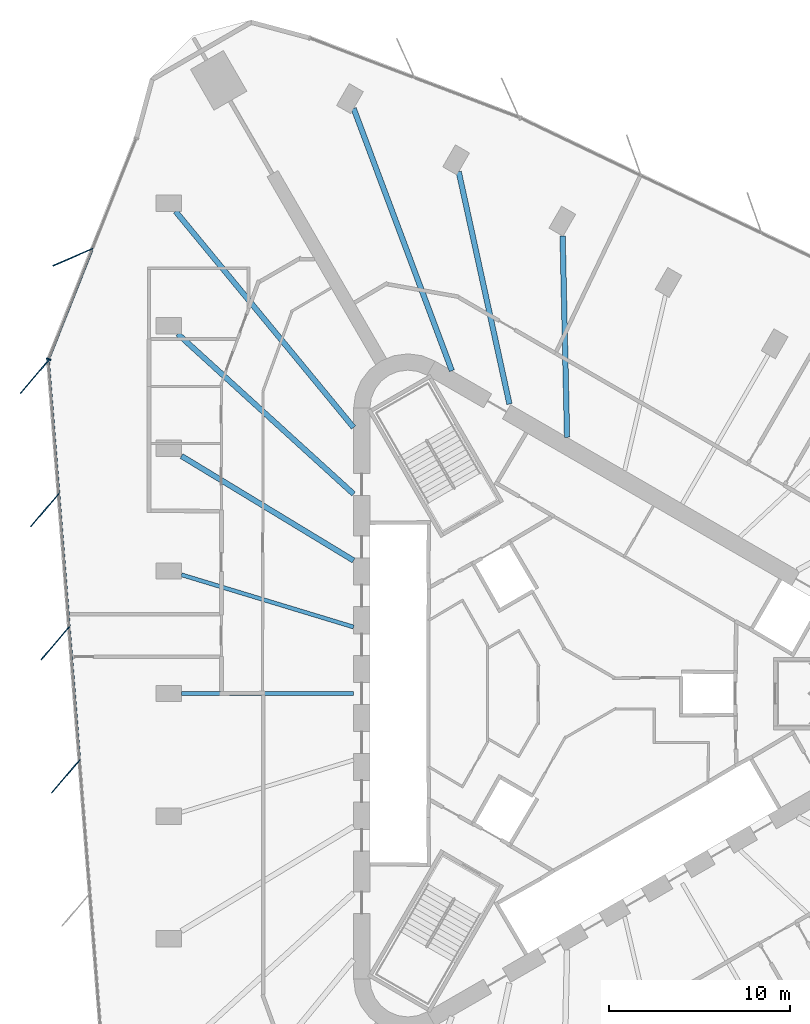
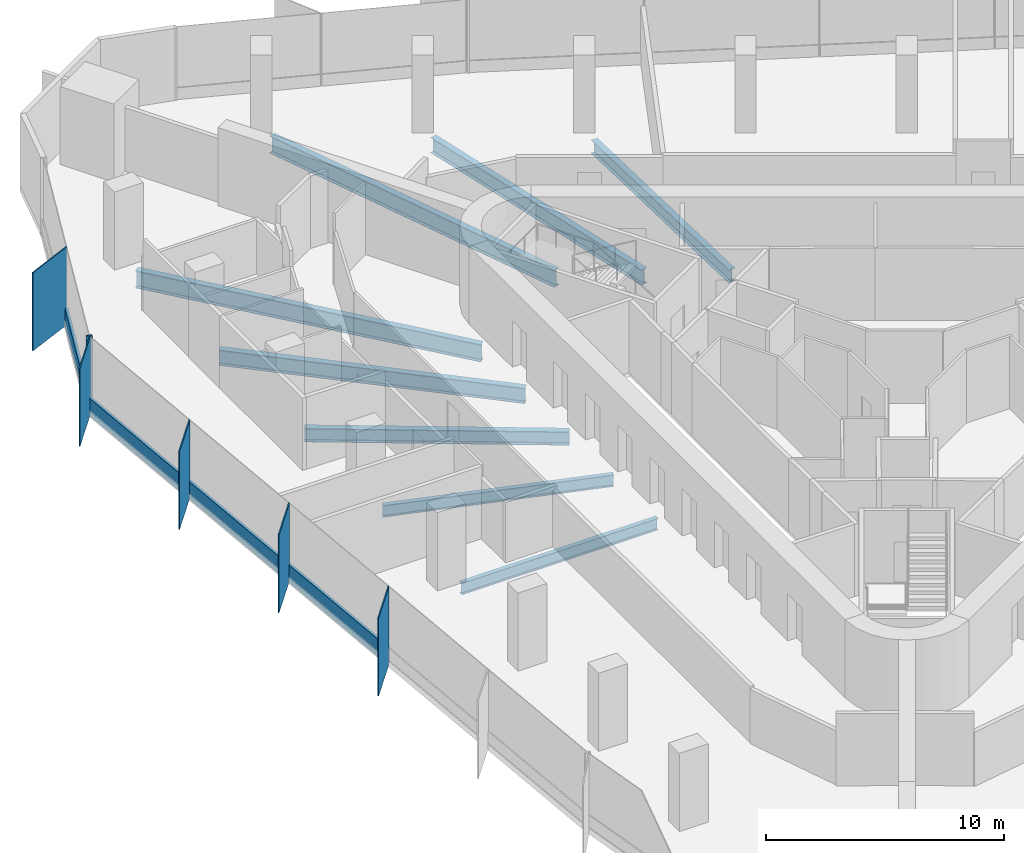
# One storey, part 4 of 13: 10 members, 8 beams, 2 elements without a shape of their own.
"""IFC4 building model written with IfcOpenShell, lengths in metres."""

from ifc_helpers import new_model, si_unit, direction, frame, origin, origin_2d, place, context, subcontext, project, spatial, rectangle, i_section, extrude, material, material_profile, profile_set, type_object, element, aggregate, save


model = new_model("IFC4")

# Units and contexts
model_context = context("Model", 3, precision=1e-05, world=origin(), true_north=direction((0.0, 1.0)))
body_context = subcontext(model_context, "Body", "Model", "MODEL_VIEW")
ifc_project = project(units=[si_unit("LENGTHUNIT", "METRE"), si_unit("AREAUNIT", "SQUARE_METRE"), si_unit("VOLUMEUNIT", "CUBIC_METRE"), si_unit("PLANEANGLEUNIT", "RADIAN"), si_unit("MASSUNIT", "GRAM", prefix="KILO")], contexts=[model_context])

# Site, building, storey
site_placement = place(None, origin())
site = spatial("IfcSite", under=ifc_project, at=site_placement, CompositionType="ELEMENT")
building_placement = place(site_placement, origin())
building = spatial("IfcBuilding", under=site, at=building_placement, Name="Tanit Gate Tower", CompositionType="ELEMENT")
storey_placement = place(building_placement, frame((0.0, 0.0, 201.199951171875)))
storey = spatial("IfcBuildingStorey", under=building, at=storey_placement, Name="L44", CompositionType="ELEMENT", Elevation=201.199951171875)

# Curtain wall, member
ifc_material_1 = material(Name="Aluminium bronze anodised and glass", Category="aluminium")
curtain_wall_type = type_object("IfcCurtainWallType", Name="Curtain wall typical mid", PredefinedType="NOTDEFINED", material=ifc_material_1)
curtain_wall_1_placement = place(storey_placement, origin())
curtain_wall_1 = element("IfcCurtainWall", 1, at=curtain_wall_1_placement, inside=storey, type_object=curtain_wall_type, Name="Curtain wall L44 W1", PredefinedType="NOTDEFINED")
ifc_material_2 = material(Name="Aluminium bronze anodised", Category="aluminium")
ifc_material_profile_1 = material_profile(ifc_material_2, rectangle(XDim=2.39990234375, YDim=0.055908203125, at=origin_2d()), Name="56x2400 bronze fin mullion")
ifc_profile_set_1 = profile_set([ifc_material_profile_1], Name="Aluminium bronze anodised")
member_type_1 = type_object("IfcMemberType", Name="FIN MULLION 56x2400 bronze", PredefinedType="MULLION", material=ifc_profile_set_1)
member_1_placement = place(storey_placement, frame((-27.60888671875, 24.100830078125, -0.300048828125), z_axis=(0.0, 0.0, 1.0), x_axis=(0.917994153151, 0.396593916721, 0.0)))
member_1 = element("IfcMember", 2, at=member_1_placement, type_object=member_type_1, Name="Fin mullion L44 W1.2", PredefinedType="MULLION", context=body_context, shape_type="SweptSolid", body=[
    extrude(rectangle(XDim=2.39990234375, YDim=0.055908203125, at=origin_2d()), origin(), (0.0, 0.0, 1.0), 4.0),
])

# Curtain wall, members
curtain_wall_2_placement = place(storey_placement, origin())
curtain_wall_2 = element("IfcCurtainWall", 3, at=curtain_wall_2_placement, inside=storey, type_object=curtain_wall_type, Name="Curtain wall L44 W2", PredefinedType="NOTDEFINED")
member_2_placement = place(storey_placement, frame((-29.724853515625, 17.4931640625, -0.300048828125), z_axis=(0.0, 0.0, 1.0), x_axis=(0.649921223903, 0.760001580735, 0.0)))
member_2 = element("IfcMember", 4, at=member_2_placement, type_object=member_type_1, Name="Fin mullion L44 W2.1", PredefinedType="MULLION", context=body_context, shape_type="SweptSolid", body=[
    extrude(rectangle(XDim=2.39990234375, YDim=0.055908203125, at=origin_2d()), origin(), (0.0, 0.0, 1.0), 4.0),
])
member_3_placement = place(storey_placement, frame((-29.150390625, 10.13671875, -0.300048828125), z_axis=(0.0, 0.0, 1.0), x_axis=(0.649921223903, 0.760001580735, 0.0)))
member_3 = element("IfcMember", 5, at=member_3_placement, type_object=member_type_1, Name="Fin mullion L44 W2.2", PredefinedType="MULLION", context=body_context, shape_type="SweptSolid", body=[
    extrude(rectangle(XDim=2.39990234375, YDim=0.055908203125, at=origin_2d()), origin(), (0.0, 0.0, 1.0), 4.0),
])
member_4_placement = place(storey_placement, frame((-28.576171875, 2.7802734375, -0.300048828125), z_axis=(0.0, 0.0, 1.0), x_axis=(0.649921223903, 0.760001580735, 0.0)))
member_4 = element("IfcMember", 6, at=member_4_placement, type_object=member_type_1, Name="Fin mullion L44 W2.3", PredefinedType="MULLION", context=body_context, shape_type="SweptSolid", body=[
    extrude(rectangle(XDim=2.39990234375, YDim=0.055908203125, at=origin_2d()), origin(), (0.0, 0.0, 1.0), 4.0),
])
member_5_placement = place(storey_placement, frame((-28.001708984375, -4.576171875, -0.300048828125), z_axis=(0.0, 0.0, 1.0), x_axis=(0.649921223903, 0.760001580735, 0.0)))
member_5 = element("IfcMember", 7, at=member_5_placement, type_object=member_type_1, Name="Fin mullion L44 W2.4", PredefinedType="MULLION", context=body_context, shape_type="SweptSolid", body=[
    extrude(rectangle(XDim=2.39990234375, YDim=0.055908203125, at=origin_2d()), origin(), (0.0, 0.0, 1.0), 4.0),
])

# Member
ifc_material_3 = material(Name="Aluminium bronze anodised", Category="aluminium")
ifc_material_profile_2 = material_profile(ifc_material_3, rectangle(XDim=0.260009765625, YDim=0.080078125, at=origin_2d()), Name="80x260 bronze mullion")
ifc_profile_set_2 = profile_set([ifc_material_profile_2], Name="Aluminium bronze anodised")
member_type_2 = type_object("IfcMemberType", Name="Mullion 80x260 typical mid", PredefinedType="MULLION", material=ifc_profile_set_2)
member_6_placement = place(storey_placement, frame((-28.947021484375, 18.466064453125, -0.300048828125), z_axis=(0.0, 0.0, 1.0), x_axis=(0.929554138674, -0.368685642892, 0.0)))
member_6 = element("IfcMember", 8, at=member_6_placement, type_object=member_type_2, Name="Mullion L44 W1.3", PredefinedType="MULLION", context=body_context, shape_type="SweptSolid", body=[
    extrude(rectangle(XDim=0.260009765625, YDim=0.080078125, at=origin_2d()), origin(), (0.0, 0.0, 1.0), 4.0),
])

# Beams
ifc_material_4 = material(Name="Steel S355", Category="steel")
ifc_material_profile_3 = material_profile(ifc_material_4, i_section(OverallWidth=0.300048828125, OverallDepth=0.68994140625, WebThickness=0.014404296875, FlangeThickness=0.027099609375, FilletRadius=0.027099609375, at=origin_2d()), Name="HEA 700")
ifc_profile_set_3 = profile_set([ifc_material_profile_3], Name="Steel S355")
beam_type_1 = type_object("IfcBeamType", Name="RADIAL GIRDER HEA 700 S355", PredefinedType="BEAM", material=ifc_profile_set_3)
beam_1_placement = place(storey_placement, frame((-0.556884765625, 25.269775390625, -0.64501953125), z_axis=(0.022024571196, -0.999757429712, 0.0), x_axis=(0.999757429712, 0.022024571196, 0.0)))
element("IfcBeam", 9, at=beam_1_placement, inside=storey, type_object=beam_type_1, Name="RADIAL GIRDER", PredefinedType="BEAM", context=body_context, shape_type="SweptSolid", body=[
    extrude(i_section(OverallWidth=0.300048828125, OverallDepth=0.68994140625, WebThickness=0.014404296875, FlangeThickness=0.027099609375, FilletRadius=0.027099609375, at=origin_2d()), origin(), (0.0, 0.0, 1.0), 11.1181640625),
])
beam_2_placement = place(storey_placement, frame((-21.605712890625, 13.116943359375, -0.64501953125), z_axis=(0.854799691716, -0.518958078309, 0.0), x_axis=(0.518958078309, 0.854799691716, 0.0)))
element("IfcBeam", 10, at=beam_2_placement, inside=storey, type_object=beam_type_1, Name="RADIAL GIRDER", PredefinedType="BEAM", context=body_context, shape_type="SweptSolid", body=[
    extrude(i_section(OverallWidth=0.300048828125, OverallDepth=0.68994140625, WebThickness=0.014404296875, FlangeThickness=0.027099609375, FilletRadius=0.027099609375, at=origin_2d()), origin(), (0.0, 0.0, 1.0), 11.117919921875),
])
ifc_material_5 = material(Name="Steel S355", Category="steel")
ifc_material_profile_4 = material_profile(ifc_material_5, i_section(OverallWidth=0.300048828125, OverallDepth=0.7900390625, WebThickness=0.014892578125, FlangeThickness=0.028076171875, FilletRadius=0.030029296875, at=origin_2d()), Name="HEA 800")
ifc_profile_set_4 = profile_set([ifc_material_profile_4], Name="Steel S355")
beam_type_2 = type_object("IfcBeamType", Name="RADIAL GIRDER HEA 800 S355", PredefinedType="BEAM", material=ifc_profile_set_4)
beam_3_placement = place(storey_placement, frame((-6.2958984375, 28.821044921875, -0.695068359375), z_axis=(0.213417442775, -0.976961102153, 0.0), x_axis=(0.976961102153, 0.213417442775, 0.0)))
element("IfcBeam", 11, at=beam_3_placement, inside=storey, type_object=beam_type_2, Name="RADIAL GIRDER", PredefinedType="BEAM", context=body_context, shape_type="SweptSolid", body=[
    extrude(i_section(OverallWidth=0.300048828125, OverallDepth=0.7900390625, WebThickness=0.014892578125, FlangeThickness=0.028076171875, FilletRadius=0.030029296875, at=origin_2d()), origin(), (0.0, 0.0, 1.0), 13.132568359375),
])
beam_4_placement = place(storey_placement, frame((-21.811767578125, 19.86279296875, -0.695068359375), z_axis=(0.739370310624, -0.673299000273, 0.0), x_axis=(0.673299000273, 0.739370310624, 0.0)))
element("IfcBeam", 12, at=beam_4_placement, inside=storey, type_object=beam_type_2, Name="RADIAL GIRDER", PredefinedType="BEAM", context=body_context, shape_type="SweptSolid", body=[
    extrude(i_section(OverallWidth=0.300048828125, OverallDepth=0.7900390625, WebThickness=0.014892578125, FlangeThickness=0.028076171875, FilletRadius=0.030029296875, at=origin_2d()), origin(), (0.0, 0.0, 1.0), 13.13232421875),
])
ifc_material_6 = material(Name="Steel S355", Category="steel")
ifc_material_profile_5 = material_profile(ifc_material_6, i_section(OverallWidth=0.300048828125, OverallDepth=0.889892578125, WebThickness=0.01611328125, FlangeThickness=0.030029296875, FilletRadius=0.030029296875, at=origin_2d()), Name="HEA 900")
ifc_profile_set_5 = profile_set([ifc_material_profile_5], Name="Steel S355")
beam_type_3 = type_object("IfcBeamType", Name="RADIAL GIRDER HEA 900 S355", PredefinedType="BEAM", material=ifc_profile_set_5)
for number, where, z_axis, x_axis, name in (
    (13, (-12.09814453125, 32.3134765625, -0.744873046875), (0.350626951339, -0.936515211299, 0.0), (0.936515211299, 0.350626951339, 0.0), "RADIAL GIRDER"),
    (14, (-21.935302734375, 26.6337890625, -0.744873046875), (0.635736575047, -0.771906087, 0.0), (0.771906087, 0.635736575047, 0.0), "RADIAL GIRDER"),
):
    element("IfcBeam", number, at=place(storey_placement, frame(where, z_axis=z_axis, x_axis=x_axis)), inside=storey, type_object=beam_type_3, Name=name, PredefinedType="BEAM", context=body_context, shape_type="SweptSolid", body=[
        extrude(i_section(OverallWidth=0.300048828125, OverallDepth=0.889892578125, WebThickness=0.01611328125, FlangeThickness=0.030029296875, FilletRadius=0.030029296875, at=origin_2d()), origin(), (0.0, 0.0, 1.0), 15.467529296875),
    ])
ifc_material_7 = material(Name="Steel S355", Category="steel")
ifc_material_profile_6 = material_profile(ifc_material_7, i_section(OverallWidth=0.219970703125, OverallDepth=0.60009765625, WebThickness=0.011962890625, FlangeThickness=0.01904296875, FilletRadius=0.02392578125, at=origin_2d()), Name="IPE 600")
ifc_profile_set_6 = profile_set([ifc_material_profile_6], Name="Steel S355")
beam_type_4 = type_object("IfcBeamType", Name="RADIAL GIRDER IPE 600 S355", PredefinedType="BEAM", material=ifc_profile_set_6)
beam_5_placement = place(storey_placement, frame((-21.605712890625, 6.55859375, -0.599853515625), z_axis=(0.956881430709, -0.290478790215, 0.0), x_axis=(0.290478790215, 0.956881430709, 0.0)))
element("IfcBeam", 15, at=beam_5_placement, inside=storey, type_object=beam_type_4, Name="RADIAL GIRDER", PredefinedType="BEAM", context=body_context, shape_type="SweptSolid", body=[
    extrude(i_section(OverallWidth=0.219970703125, OverallDepth=0.60009765625, WebThickness=0.011962890625, FlangeThickness=0.01904296875, FilletRadius=0.02392578125, at=origin_2d()), origin(), (0.0, 0.0, 1.0), 9.931884765625),
])
beam_6_placement = place(storey_placement, frame((-21.605712890625, 0.0, -0.599853515625), z_axis=(1.0, 0.0, 0.0), x_axis=(0.0, 1.0, 0.0)))
element("IfcBeam", 16, at=beam_6_placement, inside=storey, type_object=beam_type_4, Name="RADIAL GIRDER", PredefinedType="BEAM", context=body_context, shape_type="SweptSolid", body=[
    extrude(i_section(OverallWidth=0.219970703125, OverallDepth=0.60009765625, WebThickness=0.011962890625, FlangeThickness=0.01904296875, FilletRadius=0.02392578125, at=origin_2d()), origin(), (0.0, 0.0, 1.0), 9.503662109375),
])

# Member
ifc_material_8 = material(Name="Aluminium bronze anodised", Category="aluminium")
ifc_material_profile_7 = material_profile(ifc_material_8, rectangle(XDim=0.139892578125, YDim=0.89990234375, at=origin_2d()), Name="140x900 bronze transom")
ifc_profile_set_7 = profile_set([ifc_material_profile_7], Name="Aluminium bronze anodised")
member_type_3 = type_object("IfcMemberType", Name="Transom 140x900 typical mid", PredefinedType="USERDEFINED", material=ifc_profile_set_7)
member_7_placement = place(storey_placement, frame((-26.54150390625, 24.531005859375, 0.150146484375), z_axis=(-0.368695272447, -0.929550319281, 0.0), x_axis=(0.929550319281, -0.368695272447, 0.0)))
member_7 = element("IfcMember", 17, at=member_7_placement, type_object=member_type_3, Name="Transom L44 W1.2", ObjectType="TRANSOM", PredefinedType="USERDEFINED", context=body_context, shape_type="SweptSolid", body=[
    extrude(rectangle(XDim=0.139892578125, YDim=0.89990234375, at=origin_2d()), origin(), (0.0, 0.0, 1.0), 6.484619140625),
])

aggregate(curtain_wall_1, [member_1, member_6, member_7])

member_8_placement = place(storey_placement, frame((-28.95556640625, 18.34912109375, 0.150146484375), z_axis=(0.077837277659, -0.996966076758, 0.0), x_axis=(0.996966076758, 0.077837277659, 0.0)))
member_8 = element("IfcMember", 18, at=member_8_placement, type_object=member_type_3, Name="Transom L44 W2.1", ObjectType="TRANSOM", PredefinedType="USERDEFINED", context=body_context, shape_type="SweptSolid", body=[
    extrude(rectangle(XDim=0.139892578125, YDim=0.89990234375, at=origin_2d()), origin(), (0.0, 0.0, 1.0), 7.298828125),
])

member_9_placement = place(storey_placement, frame((-28.381103515625, 10.99267578125, 0.150146484375), z_axis=(0.077837277659, -0.996966076758, 0.0), x_axis=(0.996966076758, 0.077837277659, 0.0)))
member_9 = element("IfcMember", 19, at=member_9_placement, type_object=member_type_3, Name="Transom L44 W2.2", ObjectType="TRANSOM", PredefinedType="USERDEFINED", context=body_context, shape_type="SweptSolid", body=[
    extrude(rectangle(XDim=0.139892578125, YDim=0.89990234375, at=origin_2d()), origin(), (0.0, 0.0, 1.0), 7.298828125),
])

member_10_placement = place(storey_placement, frame((-27.806884765625, 3.63623046875, 0.150146484375), z_axis=(0.077837277659, -0.996966076758, 0.0), x_axis=(0.996966076758, 0.077837277659, 0.0)))
member_10 = element("IfcMember", 20, at=member_10_placement, type_object=member_type_3, Name="Transom L44 W2.3", ObjectType="TRANSOM", PredefinedType="USERDEFINED", context=body_context, shape_type="SweptSolid", body=[
    extrude(rectangle(XDim=0.139892578125, YDim=0.89990234375, at=origin_2d()), origin(), (0.0, 0.0, 1.0), 7.298828125),
])

aggregate(curtain_wall_2, [member_2, member_3, member_4, member_5, member_8, member_9, member_10])

save(model, "model.ifc")
